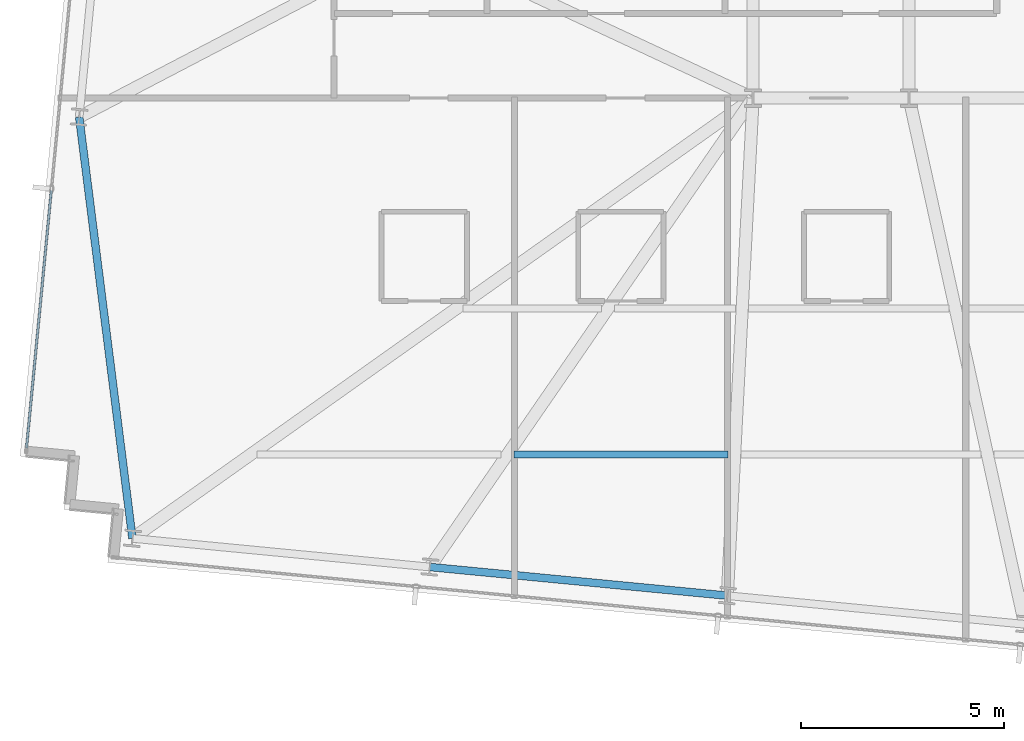
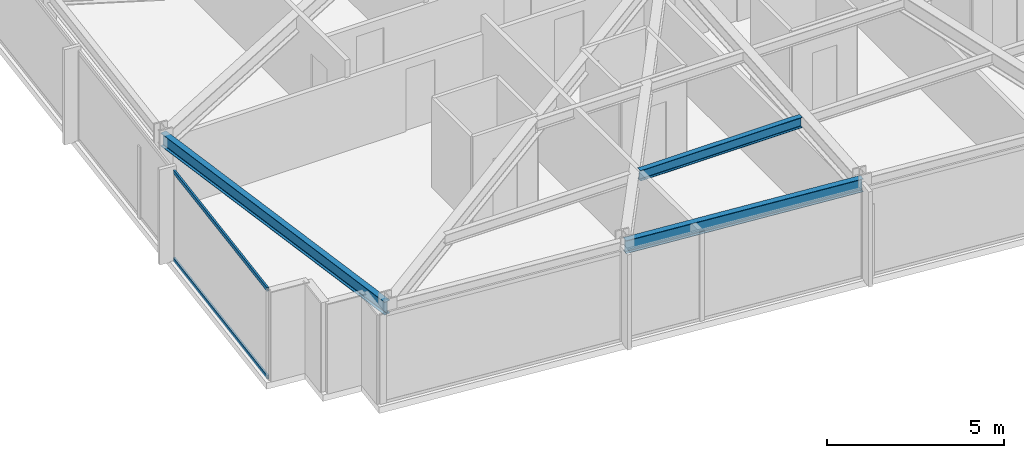
# One storey, part 3 of 37: 3 beams, 2 members, 1 element without a shape of its own.
"""IFC4 building model written with IfcOpenShell, lengths in metres."""

import ifcopenshell
import ifcopenshell.guid

model = None  # the IFC model being written
_history = None  # IfcOwnerHistory: only IFC2X3 demands one
_inside = {}  # id of a spatial element -> (the spatial element, [elements in it])
_under = {}  # id of a project, library or spatial element -> (it, [spatial elements below it])
_declared = {}  # id of a project -> (the project, [libraries it declares])
_typed = {}  # id of a type object -> (the type object, [elements of that type])
_made_of = {}  # id of a material, layer set ... -> (it, [elements and type objects made of it])


def new_model(schema):
    """Start an empty IFC model of exactly this schema.

    Asked for "IFC4X3", IfcOpenShell would pick the latest addendum, in which some entities
    have other attributes; the version numbers below select the first issue.
    IFC2X3 requires an IfcOwnerHistory on every rooted entity: one is made here for all.
    """
    global model, _history
    if schema == "IFC4X3":
        model = ifcopenshell.file(schema_version=(4, 3, 0, 0))
    else:
        model = ifcopenshell.file(schema=schema)
    _inside.clear()
    _under.clear()
    _declared.clear()
    _typed.clear()
    _made_of.clear()
    _history = None
    if model.schema == "IFC2X3":
        org = make("IfcOrganization", Name="unknown")
        user = make(
            "IfcPersonAndOrganization",
            ThePerson=make("IfcPerson", FamilyName="unknown"),
            TheOrganization=org,
        )
        app = make(
            "IfcApplication",
            ApplicationDeveloper=org,
            Version="unknown",
            ApplicationFullName="unknown",
            ApplicationIdentifier="unknown",
        )
        _history = make(
            "IfcOwnerHistory",
            OwningUser=user,
            OwningApplication=app,
            ChangeAction="ADDED",
            CreationDate=0,
        )
    return model


def make(cls, **values):
    """One entity of the class cls with the attributes given. An attribute that is None is left unset."""
    return model.create_entity(
        cls, **{name: value for name, value in values.items() if value is not None}
    )


def rooted(cls, **values):
    """An entity with a GlobalId (a new one), such as an element, a storey or a relation."""
    return make(cls, GlobalId=ifcopenshell.guid.new(), OwnerHistory=_history, **values)


def si_unit(unit_type, name, prefix=None):
    """IfcSIUnit, for example si_unit("LENGTHUNIT", "METRE", prefix="MILLI")."""
    return make("IfcSIUnit", UnitType=unit_type, Prefix=prefix, Name=name)


def assignment(units):
    """IfcUnitAssignment: the units of a project."""
    return None if units is None else make("IfcUnitAssignment", Units=units)


def point(xyz):
    """IfcCartesianPoint."""
    return None if xyz is None else make("IfcCartesianPoint", Coordinates=xyz)


def direction(xyz):
    """IfcDirection."""
    return None if xyz is None else make("IfcDirection", DirectionRatios=xyz)


def frame(location, z_axis=None, x_axis=None):
    """IfcAxis2Placement3D, a coordinate frame: its origin and axes. An axis left out is left unset."""
    return make(
        "IfcAxis2Placement3D",
        Location=point(location),
        Axis=direction(z_axis),
        RefDirection=direction(x_axis),
    )


def frame_2d(location, x_axis=None):
    """IfcAxis2Placement2D, a coordinate frame in the plane: its origin and x axis."""
    return make(
        "IfcAxis2Placement2D", Location=point(location), RefDirection=direction(x_axis)
    )


def origin():
    """The frame at (0, 0, 0) with its axes left unset."""
    return frame((0.0, 0.0, 0.0))


def origin_2d():
    """The frame at (0, 0) in the plane with its x axis left unset."""
    return frame_2d((0.0, 0.0))


def place(relative_to, where):
    """IfcLocalPlacement: puts the frame where relative to a parent placement (None: the world)."""
    return make(
        "IfcLocalPlacement", PlacementRelTo=relative_to, RelativePlacement=where
    )


def context(
    kind, dimensions, precision=None, world=None, true_north=None, identifier=None
):
    """IfcGeometricRepresentationContext, for example the 3D "Model" context."""
    return make(
        "IfcGeometricRepresentationContext",
        ContextIdentifier=identifier,
        ContextType=kind,
        CoordinateSpaceDimension=dimensions,
        Precision=precision,
        WorldCoordinateSystem=world,
        TrueNorth=true_north,
    )


def subcontext(parent, identifier, kind, view, scale=None):
    """IfcGeometricRepresentationSubContext, for example "Body" below "Model"."""
    return make(
        "IfcGeometricRepresentationSubContext",
        ContextIdentifier=identifier,
        ContextType=kind,
        ParentContext=parent,
        TargetScale=scale,
        TargetView=view,
    )


def project(units=None, contexts=None):
    """IfcProject with its units and contexts."""
    return rooted(
        "IfcProject",
        Name="project",
        RepresentationContexts=contexts,
        UnitsInContext=assignment(units),
    )


def spatial(cls, under=None, at=None, **own):
    """A site, building, storey or space (cls), placed at a placement, below another one or the project."""
    s = rooted(cls, ObjectPlacement=at, **own)
    if under is not None:
        _under.setdefault(under.id(), (under, []))[1].append(s)
    return s


def profile(cls, at=None, kind="AREA", **sizes):
    """A parametric profile (cls). Its sizes go by their IFC names, for example OverallWidth=200.0."""
    return make(cls, ProfileType=kind, Position=at, **sizes)


def hollow_rectangle(**sizes):
    """IfcRectangleHollowProfileDef."""
    return profile("IfcRectangleHollowProfileDef", **sizes)


def i_section(**sizes):
    """IfcIShapeProfileDef."""
    return profile("IfcIShapeProfileDef", **sizes)


def extrude(swept, where, along, depth):
    """IfcExtrudedAreaSolid: the profile swept, set in the frame where, extruded along a direction by depth."""
    return make(
        "IfcExtrudedAreaSolid",
        SweptArea=swept,
        Position=where,
        ExtrudedDirection=direction(along),
        Depth=depth,
    )


def shape(context_of_items, identifier, shape_type, items):
    """IfcShapeRepresentation: the items that make up one representation, for example the "Body"."""
    return make(
        "IfcShapeRepresentation",
        ContextOfItems=context_of_items,
        RepresentationIdentifier=identifier,
        RepresentationType=shape_type,
        Items=items,
    )


def material(Name=None, Category=None):
    """IfcMaterial."""
    return make("IfcMaterial", Name=Name, Category=Category)


def material_profile(
    of_material, cross_section, Name=None, Category=None, Priority=None
):
    """IfcMaterialProfile: a cross section and its material."""
    return make(
        "IfcMaterialProfile",
        Name=Name,
        Material=of_material,
        Profile=cross_section,
        Priority=Priority,
        Category=Category,
    )


def profile_set(profiles, Name=None, composite=None):
    """IfcMaterialProfileSet."""
    return make(
        "IfcMaterialProfileSet",
        Name=Name,
        MaterialProfiles=profiles,
        CompositeProfile=composite,
    )


def made_of(thing, what):
    """Note that an element or type object is made of a material, layer set ...; save() writes the relation."""
    if what is not None:
        _made_of.setdefault(what.id(), (what, []))[1].append(thing)
    return thing


def type_object(cls, material=None, **own):
    """A type object (cls), such as IfcWallType, which elements share."""
    return made_of(rooted(cls, **own), material)


def element(
    cls,
    number,
    at=None,
    inside=None,
    cuts=None,
    type_object=None,
    material=None,
    context=None,
    identifier="Body",
    shape_type=None,
    held_by="IfcProductDefinitionShape",
    body=None,
    shapes=None,
    **own,
):
    """One element of the class cls, such as IfcWall. Its Tag is "e" and its number.

    at: its placement. inside: the storey or other place that contains it. cuts: it is an
    opening in that element (IfcRelVoidsElement). A single representation is given by context,
    identifier, shape_type and body (its items); several are given by shapes. held_by: the class
    of the entity that holds the representations. save() writes the other relations.
    """
    e = rooted(cls, Tag="e%d" % number, ObjectPlacement=at, **own)
    if body is not None:
        shapes = [shape(context, identifier, shape_type, body)]
    if shapes is not None:
        e.Representation = make(held_by, Representations=shapes)
    if inside is not None:
        _inside.setdefault(inside.id(), (inside, []))[1].append(e)
    if cuts is not None:
        rooted(
            "IfcRelVoidsElement", RelatingBuildingElement=cuts, RelatedOpeningElement=e
        )
    if type_object is not None:
        _typed.setdefault(type_object.id(), (type_object, []))[1].append(e)
    return made_of(e, material)


def aggregate(whole, parts):
    """IfcRelAggregates: a whole, such as a stair, and the parts it consists of."""
    return rooted("IfcRelAggregates", RelatingObject=whole, RelatedObjects=parts)


def save(model, path):
    """Write the relations noted so far, then the file.

    IfcRelAggregates (storeys below a building ...), IfcRelContainedInSpatialStructure (elements
    in a storey), IfcRelDefinesByType, IfcRelAssociatesMaterial and IfcRelDeclares: one each for
    every whole, place, type object, material and project.
    """
    for whole, parts in _under.values():
        aggregate(whole, parts)
    for where, things in _inside.values():
        rooted(
            "IfcRelContainedInSpatialStructure",
            RelatedElements=things,
            RelatingStructure=where,
        )
    for kind, things in _typed.values():
        rooted("IfcRelDefinesByType", RelatedObjects=things, RelatingType=kind)
    for what, things in _made_of.values():
        rooted("IfcRelAssociatesMaterial", RelatedObjects=things, RelatingMaterial=what)
    for by, libraries in _declared.values():
        rooted("IfcRelDeclares", RelatingContext=by, RelatedDefinitions=libraries)
    model.write(path)


model = new_model("IFC4")

# Units and contexts
model_context = context("Model", 3, precision=1e-05, world=origin(), true_north=direction((0.0, 1.0)))
body_context = subcontext(model_context, "Body", "Model", "MODEL_VIEW")
ifc_project = project(units=[si_unit("LENGTHUNIT", "METRE"), si_unit("AREAUNIT", "SQUARE_METRE"), si_unit("VOLUMEUNIT", "CUBIC_METRE"), si_unit("PLANEANGLEUNIT", "RADIAN"), si_unit("MASSUNIT", "GRAM", prefix="KILO")], contexts=[model_context])

# Site, building, storey
site_placement = place(None, origin())
site = spatial("IfcSite", under=ifc_project, at=site_placement, CompositionType="ELEMENT")
building_placement = place(site_placement, origin())
building = spatial("IfcBuilding", under=site, at=building_placement, Name="Yelkora Congress Tower", CompositionType="ELEMENT")
storey_placement = place(building_placement, frame((0.0, 0.0, 162.199951171875)))
storey = spatial("IfcBuildingStorey", under=building, at=storey_placement, Name="L44", CompositionType="ELEMENT", Elevation=162.199951171875)

# Beams
ifc_material_1 = material(Name="Steel S355J2", Category="steel")
ifc_material_profile_1 = material_profile(ifc_material_1, i_section(OverallWidth=0.169921875, OverallDepth=0.360107421875, WebThickness=0.008056640625, FlangeThickness=0.0126953125, FilletRadius=0.01806640625, at=origin_2d()), Name="IPE 360")
ifc_profile_set_1 = profile_set([ifc_material_profile_1], Name="Steel S355J2")
beam_type_1 = type_object("IfcBeamType", Name="BM-JOIST-IPE360", PredefinedType="JOIST", material=ifc_profile_set_1)
beam_1_placement = place(storey_placement, frame((13.310546875, 16.421142578125, 2.900146484375), z_axis=(1.0, 0.0, 0.0), x_axis=(0.0, 1.0, 0.0)))
element("IfcBeam", 1, at=beam_1_placement, inside=storey, type_object=beam_type_1, Name="L44 Composite Floor Joist 6", PredefinedType="JOIST", context=body_context, shape_type="SweptSolid", body=[
    extrude(i_section(OverallWidth=0.169921875, OverallDepth=0.360107421875, WebThickness=0.008056640625, FlangeThickness=0.0126953125, FilletRadius=0.01806640625, at=origin_2d()), origin(), (0.0, 0.0, 1.0), 5.275146484375),
])
ifc_material_profile_2 = material_profile(ifc_material_1, i_section(OverallWidth=0.18994140625, OverallDepth=0.449951171875, WebThickness=0.009521484375, FlangeThickness=0.0146484375, FilletRadius=0.02099609375, at=origin_2d()), Name="IPE 450")
ifc_profile_set_2 = profile_set([ifc_material_profile_2], Name="Steel S355J2")
beam_type_2 = type_object("IfcBeamType", Name="BM-SPAN-IPE450", PredefinedType="SPANDREL", material=ifc_profile_set_2)
beam_2_placement = place(storey_placement, frame((2.607421875, 24.730712890625, 2.85498046875), z_axis=(0.125457133578, -0.992099041243, 0.0), x_axis=(0.992099041243, 0.125457133578, 0.0)))
element("IfcBeam", 2, at=beam_2_placement, inside=storey, type_object=beam_type_2, Name="L44 Perimeter Beam 1", PredefinedType="SPANDREL", context=body_context, shape_type="SweptSolid", body=[
    extrude(i_section(OverallWidth=0.18994140625, OverallDepth=0.449951171875, WebThickness=0.009521484375, FlangeThickness=0.0146484375, FilletRadius=0.02099609375, at=origin_2d()), origin(), (0.0, 0.0, 1.0), 10.455810546875),
])
beam_3_placement = place(storey_placement, frame((11.242431640625, 13.652099609375, 2.85498046875), z_axis=(0.995397409467, -0.095833173935, 0.0), x_axis=(0.095833173935, 0.995397409467, 0.0)))
element("IfcBeam", 3, at=beam_3_placement, inside=storey, type_object=beam_type_2, Name="L44 Perimeter Beam 3", PredefinedType="SPANDREL", context=body_context, shape_type="SweptSolid", body=[
    extrude(i_section(OverallWidth=0.18994140625, OverallDepth=0.449951171875, WebThickness=0.009521484375, FlangeThickness=0.0146484375, FilletRadius=0.02099609375, at=origin_2d()), origin(), (0.0, 0.0, 1.0), 7.357421875),
])

# Curtain wall, members
ifc_material_2 = material(Name="Anodised aluminium and insulated glass", Category="aluminium")
curtain_wall_type = type_object("IfcCurtainWallType", Name="CW-SYS-B3", PredefinedType="NOTDEFINED", material=ifc_material_2)
curtain_wall_placement = place(storey_placement, origin())
curtain_wall = element("IfcCurtainWall", 4, at=curtain_wall_placement, inside=storey, type_object=curtain_wall_type, Name="L44 Unitised Curtain Wall 5", PredefinedType="NOTDEFINED")
ifc_material_3 = material(Name="Anodised aluminium 6063-T6", Category="aluminium")
ifc_material_profile_3 = material_profile(ifc_material_3, hollow_rectangle(XDim=0.06005859375, YDim=0.1298828125, WallThickness=0.00390625, at=origin_2d()), Name="ALU 60x130x4")
ifc_profile_set_3 = profile_set([ifc_material_profile_3], Name="Anodised aluminium 6063-T6")
member_type = type_object("IfcMemberType", Name="MEM-TR-B3", PredefinedType="USERDEFINED", material=ifc_profile_set_3)
member_1_placement = place(storey_placement, frame((1.31005859375, 16.57763671875, 0.030029296875), z_axis=(0.095834923543, 0.99539724102, 0.0), x_axis=(-0.99539724102, 0.095834923543, 0.0)))
member_1 = element("IfcMember", 5, at=member_1_placement, type_object=member_type, Name="CW-B3 transom 1.1", ObjectType="TRANSOM", PredefinedType="USERDEFINED", context=body_context, shape_type="SweptSolid", body=[
    extrude(hollow_rectangle(XDim=0.06005859375, YDim=0.1298828125, WallThickness=0.00390625, at=origin_2d()), origin(), (0.0, 0.0, 1.0), 6.37890625),
])
member_2_placement = place(storey_placement, frame((1.31005859375, 16.57763671875, 3.050048828125), z_axis=(0.095834923543, 0.99539724102, 0.0), x_axis=(-0.99539724102, 0.095834923543, 0.0)))
member_2 = element("IfcMember", 6, at=member_2_placement, type_object=member_type, Name="CW-B3 transom 1.2", ObjectType="TRANSOM", PredefinedType="USERDEFINED", context=body_context, shape_type="SweptSolid", body=[
    extrude(hollow_rectangle(XDim=0.06005859375, YDim=0.1298828125, WallThickness=0.00390625, at=origin_2d()), origin(), (0.0, 0.0, 1.0), 6.37890625),
])
aggregate(curtain_wall, [member_1, member_2])

save(model, "model.ifc")
